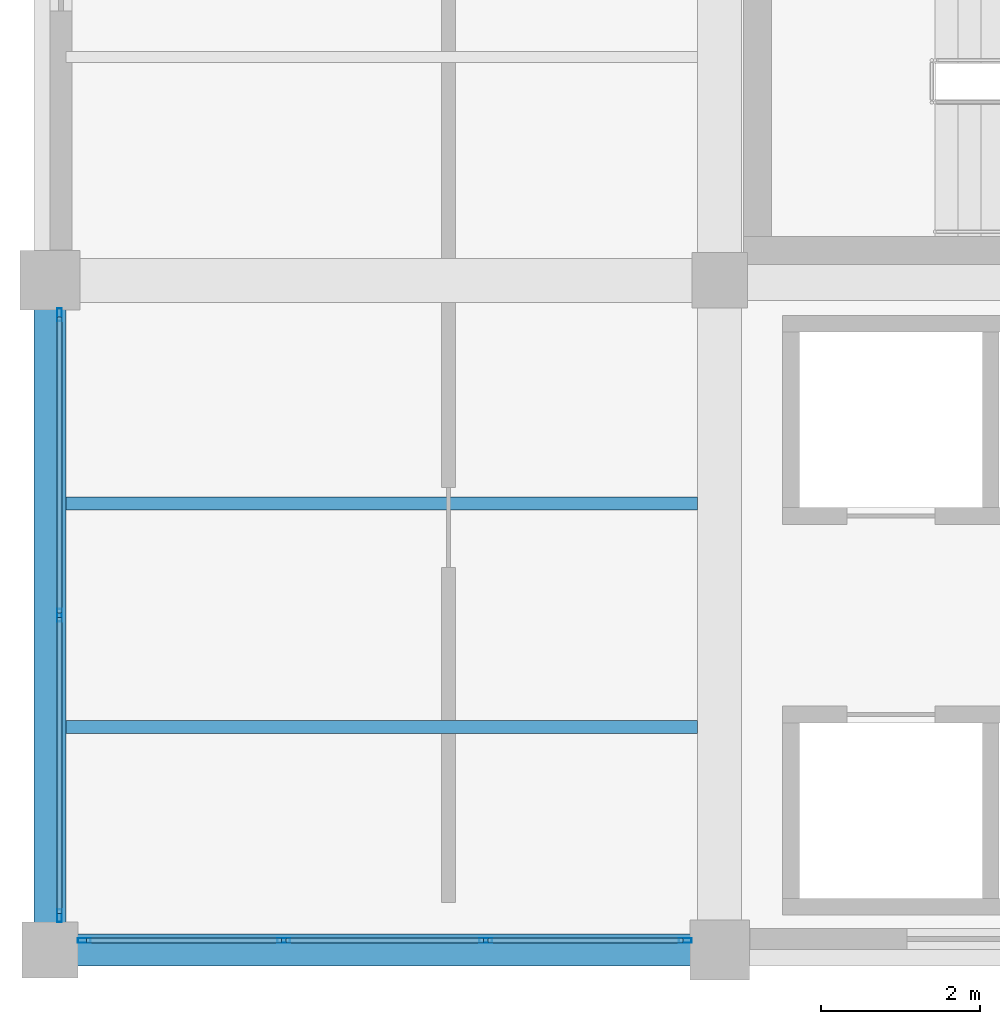
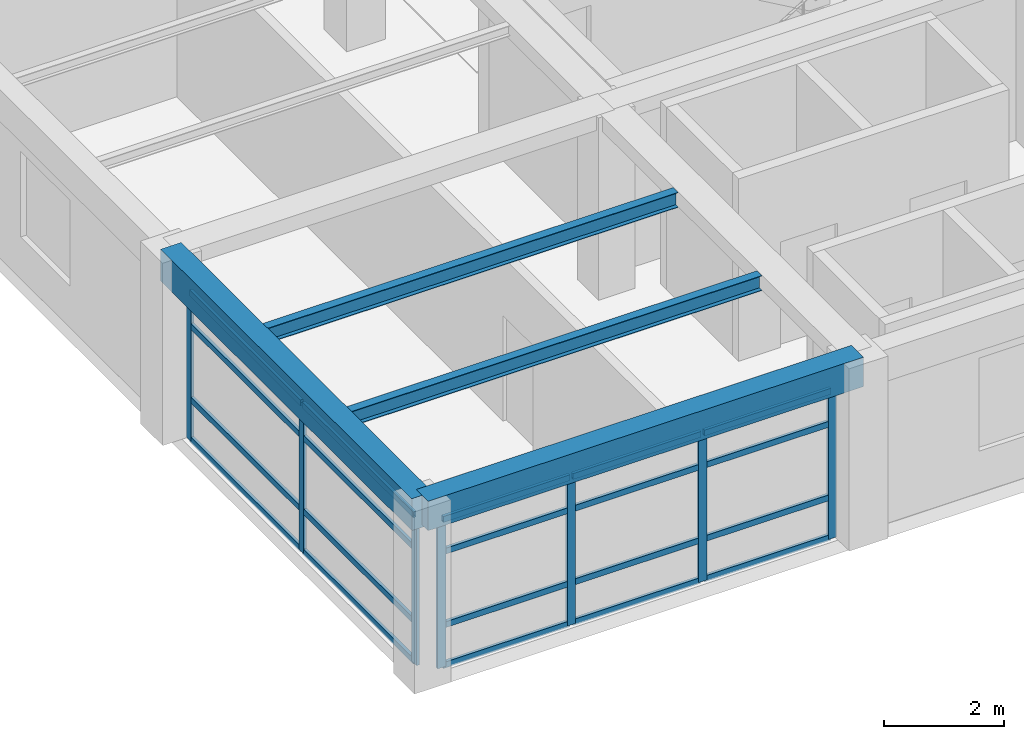
# One storey, part 2 of 26: 27 members, 4 beams, 2 elements without a shape of their own.
"""IFC4 building model written with IfcOpenShell, lengths in metres."""

from ifc_helpers import new_model, si_unit, direction, frame, origin, origin_2d, place, context, subcontext, project, spatial, rectangle, hollow_rectangle, i_section, extrude, material, material_profile, profile_set, type_object, element, aggregate, save


model = new_model("IFC4")

# Units and contexts
model_context = context("Model", 3, precision=1e-05, world=origin(), true_north=direction((0.0, 1.0)))
body_context = subcontext(model_context, "Body", "Model", "MODEL_VIEW")
ifc_project = project(units=[si_unit("LENGTHUNIT", "METRE"), si_unit("AREAUNIT", "SQUARE_METRE"), si_unit("VOLUMEUNIT", "CUBIC_METRE"), si_unit("PLANEANGLEUNIT", "RADIAN"), si_unit("MASSUNIT", "GRAM", prefix="KILO")], contexts=[model_context])

# Site, building, storey
site_placement = place(None, origin())
site = spatial("IfcSite", under=ifc_project, at=site_placement, CompositionType="ELEMENT")
building_placement = place(site_placement, origin())
building = spatial("IfcBuilding", under=site, at=building_placement, Name="Almacenes y Pasaje Nevantli", CompositionType="ELEMENT")
storey_placement = place(building_placement, frame((0.0, 0.0, 30.699951171875)))
storey = spatial("IfcBuildingStorey", under=building, at=storey_placement, Name="L07", CompositionType="ELEMENT", Elevation=30.699951171875)

# Beams
ifc_material_1 = material(Name="Concrete C35/45", Category="concrete")
ifc_material_profile_1 = material_profile(ifc_material_1, rectangle(XDim=0.39990234375, YDim=0.60009765625, at=origin_2d()), Name="RC-BM-400x600")
ifc_profile_set_1 = profile_set([ifc_material_profile_1], Name="Concrete C35/45")
beam_type_1 = type_object("IfcBeamType", Name="BM-RC-400x600", PredefinedType="SPANDREL", material=ifc_profile_set_1)
beam_1_placement = place(storey_placement, frame((109.199951171875, 67.199951171875, 3.420166015625), z_axis=(1.0, 0.0, 0.0), x_axis=(0.0, 1.0, 0.0)))
element("IfcBeam", 1, at=beam_1_placement, inside=storey, type_object=beam_type_1, Name="L07 East-West Reinforced Concrete Beam #3629", PredefinedType="SPANDREL", context=body_context, shape_type="SweptSolid", body=[
    extrude(rectangle(XDim=0.39990234375, YDim=0.60009765625, at=origin_2d()), origin(), (0.0, 0.0, 1.0), 8.400146484375),
])
ifc_material_2 = material(Name="Concrete C35/45", Category="concrete")
ifc_material_profile_2 = material_profile(ifc_material_2, rectangle(XDim=0.39990234375, YDim=0.64990234375, at=origin_2d()), Name="RC-BM-400x650")
ifc_profile_set_2 = profile_set([ifc_material_profile_2], Name="Concrete C35/45")
beam_type_2 = type_object("IfcBeamType", Name="BM-RC-400x650", PredefinedType="SPANDREL", material=ifc_profile_set_2)
beam_2_placement = place(storey_placement, frame((109.199951171875, 67.199951171875, 3.39501953125), z_axis=(0.0, 1.0, 0.0), x_axis=(-1.0, 0.0, 0.0)))
element("IfcBeam", 2, at=beam_2_placement, inside=storey, type_object=beam_type_2, Name="L07 North-South Reinforced Concrete Beam #3659", PredefinedType="SPANDREL", context=body_context, shape_type="SweptSolid", body=[
    extrude(rectangle(XDim=0.39990234375, YDim=0.64990234375, at=origin_2d()), origin(), (0.0, 0.0, 1.0), 8.400146484375),
])
ifc_material_3 = material(Name="Steel ASTM A992", Category="steel")
ifc_material_profile_3 = material_profile(ifc_material_3, i_section(OverallWidth=0.1650390625, OverallDepth=0.306884765625, WebThickness=0.006591796875, FlangeThickness=0.01025390625, at=origin_2d()), Name="IR 305x44.6")
ifc_profile_set_3 = profile_set([ifc_material_profile_3], Name="Steel ASTM A992")
beam_type_3 = type_object("IfcBeamType", Name="BM-STL-IR-305x44p6", PredefinedType="JOIST", material=ifc_profile_set_3)
for number, where, z_axis, x_axis, name in (
    (3, (109.39990234375, 70.0, 3.55859375), (1.0, 0.0, 0.0), (0.0, 1.0, 0.0), "L07 Secondary Steel Floor Joist #1387"),
    (4, (109.39990234375, 72.800048828125, 3.55859375), (1.0, 0.0, 0.0), (0.0, 1.0, 0.0), "L07 Secondary Steel Floor Joist #1388"),
):
    element("IfcBeam", number, at=place(storey_placement, frame(where, z_axis=z_axis, x_axis=x_axis)), inside=storey, type_object=beam_type_3, Name=name, PredefinedType="JOIST", context=body_context, shape_type="SweptSolid", body=[
        extrude(i_section(OverallWidth=0.1650390625, OverallDepth=0.306884765625, WebThickness=0.006591796875, FlangeThickness=0.01025390625, at=origin_2d()), origin(), (0.0, 0.0, 1.0), 7.925048828125),
    ])

# Curtain wall, members
ifc_material_4 = material(Name="Thermally Broken Aluminium and Low-E Glass", Category="aluminium")
curtain_wall_type = type_object("IfcCurtainWallType", Name="CW-UNIT-TOWER", PredefinedType="USERDEFINED", material=ifc_material_4)
curtain_wall_1_placement = place(storey_placement, origin())
curtain_wall_1 = element("IfcCurtainWall", 5, at=curtain_wall_1_placement, inside=storey, type_object=curtain_wall_type, Name="L07 Tower South Unitized Curtain Wall Bay 14", ObjectType="UNITIZED CURTAIN WALL", PredefinedType="USERDEFINED")
ifc_material_5 = material(Name="Thermally Broken Anodized Aluminium", Category="aluminium")
ifc_material_profile_4 = material_profile(ifc_material_5, hollow_rectangle(XDim=0.06005859375, YDim=0.159912109375, WallThickness=0.00390625, at=origin_2d()), Name="ALU-MUL-60x160")
ifc_profile_set_4 = profile_set([ifc_material_profile_4], Name="Thermally Broken Anodized Aluminium")
member_type_1 = type_object("IfcMemberType", Name="CW-MUL-180", PredefinedType="MULLION", material=ifc_profile_set_4)
member_1_placement = place(storey_placement, frame((109.6298828125, 67.320068359375, 0.0), z_axis=(0.0, 0.0, 1.0), x_axis=(0.0, 1.0, 0.0)))
member_1 = element("IfcMember", 6, at=member_1_placement, type_object=member_type_1, Name="CW-L07-111 mullion 1", PredefinedType="MULLION", context=body_context, shape_type="SweptSolid", body=[
    extrude(hollow_rectangle(XDim=0.06005859375, YDim=0.159912109375, WallThickness=0.00390625, at=origin_2d()), origin(), (0.0, 0.0, 1.0), 3.0400390625),
])
member_2_placement = place(storey_placement, frame((112.13330078125, 67.320068359375, 0.0), z_axis=(0.0, 0.0, 1.0), x_axis=(0.0, 1.0, 0.0)))
member_2 = element("IfcMember", 7, at=member_2_placement, type_object=member_type_1, Name="CW-L07-111 mullion 2", PredefinedType="MULLION", context=body_context, shape_type="SweptSolid", body=[
    extrude(hollow_rectangle(XDim=0.06005859375, YDim=0.159912109375, WallThickness=0.00390625, at=origin_2d()), origin(), (0.0, 0.0, 1.0), 3.0400390625),
])
member_3_placement = place(storey_placement, frame((114.666748046875, 67.320068359375, 0.0), z_axis=(0.0, 0.0, 1.0), x_axis=(0.0, 1.0, 0.0)))
member_3 = element("IfcMember", 8, at=member_3_placement, type_object=member_type_1, Name="CW-L07-111 mullion 3", PredefinedType="MULLION", context=body_context, shape_type="SweptSolid", body=[
    extrude(hollow_rectangle(XDim=0.06005859375, YDim=0.159912109375, WallThickness=0.00390625, at=origin_2d()), origin(), (0.0, 0.0, 1.0), 3.0400390625),
])
member_4_placement = place(storey_placement, frame((117.169921875, 67.320068359375, 0.0), z_axis=(0.0, 0.0, 1.0), x_axis=(0.0, 1.0, 0.0)))
member_4 = element("IfcMember", 9, at=member_4_placement, type_object=member_type_1, Name="CW-L07-111 mullion 4", PredefinedType="MULLION", context=body_context, shape_type="SweptSolid", body=[
    extrude(hollow_rectangle(XDim=0.06005859375, YDim=0.159912109375, WallThickness=0.00390625, at=origin_2d()), origin(), (0.0, 0.0, 1.0), 3.0400390625),
])

curtain_wall_2_placement = place(storey_placement, origin())
curtain_wall_2 = element("IfcCurtainWall", 10, at=curtain_wall_2_placement, inside=storey, type_object=curtain_wall_type, Name="L07 Tower West Curtain Wall Bay 9", ObjectType="UNITIZED CURTAIN WALL", PredefinedType="USERDEFINED")
member_5_placement = place(storey_placement, frame((109.320068359375, 67.6298828125, 0.0), z_axis=(0.0, 0.0, 1.0), x_axis=(-1.0, 0.0, 0.0)))
member_5 = element("IfcMember", 11, at=member_5_placement, type_object=member_type_1, Name="CW-L07-117 mullion 1", PredefinedType="MULLION", context=body_context, shape_type="SweptSolid", body=[
    extrude(hollow_rectangle(XDim=0.06005859375, YDim=0.159912109375, WallThickness=0.00390625, at=origin_2d()), origin(), (0.0, 0.0, 1.0), 3.0400390625),
])
member_6_placement = place(storey_placement, frame((109.320068359375, 71.39990234375, 0.0), z_axis=(0.0, 0.0, 1.0), x_axis=(-1.0, 0.0, 0.0)))
member_6 = element("IfcMember", 12, at=member_6_placement, type_object=member_type_1, Name="CW-L07-117 mullion 2", PredefinedType="MULLION", context=body_context, shape_type="SweptSolid", body=[
    extrude(hollow_rectangle(XDim=0.06005859375, YDim=0.159912109375, WallThickness=0.00390625, at=origin_2d()), origin(), (0.0, 0.0, 1.0), 3.0400390625),
])
member_7_placement = place(storey_placement, frame((109.320068359375, 75.169921875, 0.0), z_axis=(0.0, 0.0, 1.0), x_axis=(-1.0, 0.0, 0.0)))
member_7 = element("IfcMember", 13, at=member_7_placement, type_object=member_type_1, Name="CW-L07-117 mullion 3", PredefinedType="MULLION", context=body_context, shape_type="SweptSolid", body=[
    extrude(hollow_rectangle(XDim=0.06005859375, YDim=0.159912109375, WallThickness=0.00390625, at=origin_2d()), origin(), (0.0, 0.0, 1.0), 3.0400390625),
])

# Member
ifc_material_6 = material(Name="Thermally Broken Anodized Aluminium", Category="aluminium")
ifc_material_profile_5 = material_profile(ifc_material_6, hollow_rectangle(XDim=0.06005859375, YDim=0.1201171875, WallThickness=0.00341796875, at=origin_2d()), Name="ALU-TRN-60x120")
ifc_profile_set_5 = profile_set([ifc_material_profile_5], Name="Thermally Broken Anodized Aluminium")
member_type_2 = type_object("IfcMemberType", Name="CW-TRN-130", PredefinedType="USERDEFINED", material=ifc_profile_set_5)
member_8_placement = place(storey_placement, frame((109.659912109375, 67.320068359375, 0.030029296875), z_axis=(1.0, 0.0, 0.0), x_axis=(0.0, 1.0, 0.0)))
member_8 = element("IfcMember", 14, at=member_8_placement, type_object=member_type_2, Name="CW-L07-111 transom 1.1", ObjectType="TRANSOM", PredefinedType="USERDEFINED", context=body_context, shape_type="SweptSolid", body=[
    extrude(hollow_rectangle(XDim=0.06005859375, YDim=0.1201171875, WallThickness=0.00341796875, at=origin_2d()), origin(), (0.0, 0.0, 1.0), 2.443359375),
])

member_9_placement = place(storey_placement, frame((109.659912109375, 67.320068359375, 0.85009765625), z_axis=(1.0, 0.0, 0.0), x_axis=(0.0, 1.0, 0.0)))
member_9 = element("IfcMember", 15, at=member_9_placement, type_object=member_type_2, Name="CW-L07-111 transom 1.2", ObjectType="TRANSOM", PredefinedType="USERDEFINED", context=body_context, shape_type="SweptSolid", body=[
    extrude(hollow_rectangle(XDim=0.06005859375, YDim=0.1201171875, WallThickness=0.00341796875, at=origin_2d()), origin(), (0.0, 0.0, 1.0), 2.443359375),
])

member_10_placement = place(storey_placement, frame((109.659912109375, 67.320068359375, 2.35009765625), z_axis=(1.0, 0.0, 0.0), x_axis=(0.0, 1.0, 0.0)))
member_10 = element("IfcMember", 16, at=member_10_placement, type_object=member_type_2, Name="CW-L07-111 transom 1.3", ObjectType="TRANSOM", PredefinedType="USERDEFINED", context=body_context, shape_type="SweptSolid", body=[
    extrude(hollow_rectangle(XDim=0.06005859375, YDim=0.1201171875, WallThickness=0.00341796875, at=origin_2d()), origin(), (0.0, 0.0, 1.0), 2.443359375),
])

member_11_placement = place(storey_placement, frame((109.659912109375, 67.320068359375, 3.010009765625), z_axis=(1.0, 0.0, 0.0), x_axis=(0.0, 1.0, 0.0)))
member_11 = element("IfcMember", 17, at=member_11_placement, type_object=member_type_2, Name="CW-L07-111 transom 1.4", ObjectType="TRANSOM", PredefinedType="USERDEFINED", context=body_context, shape_type="SweptSolid", body=[
    extrude(hollow_rectangle(XDim=0.06005859375, YDim=0.1201171875, WallThickness=0.00341796875, at=origin_2d()), origin(), (0.0, 0.0, 1.0), 2.443359375),
])

member_12_placement = place(storey_placement, frame((112.163330078125, 67.320068359375, 0.030029296875), z_axis=(1.0, 0.0, 0.0), x_axis=(0.0, 1.0, 0.0)))
member_12 = element("IfcMember", 18, at=member_12_placement, type_object=member_type_2, Name="CW-L07-111 transom 2.1", ObjectType="TRANSOM", PredefinedType="USERDEFINED", context=body_context, shape_type="SweptSolid", body=[
    extrude(hollow_rectangle(XDim=0.06005859375, YDim=0.1201171875, WallThickness=0.00341796875, at=origin_2d()), origin(), (0.0, 0.0, 1.0), 2.473388671875),
])

member_13_placement = place(storey_placement, frame((112.163330078125, 67.320068359375, 0.85009765625), z_axis=(1.0, 0.0, 0.0), x_axis=(0.0, 1.0, 0.0)))
member_13 = element("IfcMember", 19, at=member_13_placement, type_object=member_type_2, Name="CW-L07-111 transom 2.2", ObjectType="TRANSOM", PredefinedType="USERDEFINED", context=body_context, shape_type="SweptSolid", body=[
    extrude(hollow_rectangle(XDim=0.06005859375, YDim=0.1201171875, WallThickness=0.00341796875, at=origin_2d()), origin(), (0.0, 0.0, 1.0), 2.473388671875),
])

member_14_placement = place(storey_placement, frame((112.163330078125, 67.320068359375, 2.35009765625), z_axis=(1.0, 0.0, 0.0), x_axis=(0.0, 1.0, 0.0)))
member_14 = element("IfcMember", 20, at=member_14_placement, type_object=member_type_2, Name="CW-L07-111 transom 2.3", ObjectType="TRANSOM", PredefinedType="USERDEFINED", context=body_context, shape_type="SweptSolid", body=[
    extrude(hollow_rectangle(XDim=0.06005859375, YDim=0.1201171875, WallThickness=0.00341796875, at=origin_2d()), origin(), (0.0, 0.0, 1.0), 2.473388671875),
])

member_15_placement = place(storey_placement, frame((112.163330078125, 67.320068359375, 3.010009765625), z_axis=(1.0, 0.0, 0.0), x_axis=(0.0, 1.0, 0.0)))
member_15 = element("IfcMember", 21, at=member_15_placement, type_object=member_type_2, Name="CW-L07-111 transom 2.4", ObjectType="TRANSOM", PredefinedType="USERDEFINED", context=body_context, shape_type="SweptSolid", body=[
    extrude(hollow_rectangle(XDim=0.06005859375, YDim=0.1201171875, WallThickness=0.00341796875, at=origin_2d()), origin(), (0.0, 0.0, 1.0), 2.473388671875),
])

member_16_placement = place(storey_placement, frame((114.69677734375, 67.320068359375, 0.030029296875), z_axis=(1.0, 0.0, 0.0), x_axis=(0.0, 1.0, 0.0)))
member_16 = element("IfcMember", 22, at=member_16_placement, type_object=member_type_2, Name="CW-L07-111 transom 3.1", ObjectType="TRANSOM", PredefinedType="USERDEFINED", context=body_context, shape_type="SweptSolid", body=[
    extrude(hollow_rectangle(XDim=0.06005859375, YDim=0.1201171875, WallThickness=0.00341796875, at=origin_2d()), origin(), (0.0, 0.0, 1.0), 2.443115234375),
])

member_17_placement = place(storey_placement, frame((114.69677734375, 67.320068359375, 0.85009765625), z_axis=(1.0, 0.0, 0.0), x_axis=(0.0, 1.0, 0.0)))
member_17 = element("IfcMember", 23, at=member_17_placement, type_object=member_type_2, Name="CW-L07-111 transom 3.2", ObjectType="TRANSOM", PredefinedType="USERDEFINED", context=body_context, shape_type="SweptSolid", body=[
    extrude(hollow_rectangle(XDim=0.06005859375, YDim=0.1201171875, WallThickness=0.00341796875, at=origin_2d()), origin(), (0.0, 0.0, 1.0), 2.443115234375),
])

member_18_placement = place(storey_placement, frame((114.69677734375, 67.320068359375, 2.35009765625), z_axis=(1.0, 0.0, 0.0), x_axis=(0.0, 1.0, 0.0)))
member_18 = element("IfcMember", 24, at=member_18_placement, type_object=member_type_2, Name="CW-L07-111 transom 3.3", ObjectType="TRANSOM", PredefinedType="USERDEFINED", context=body_context, shape_type="SweptSolid", body=[
    extrude(hollow_rectangle(XDim=0.06005859375, YDim=0.1201171875, WallThickness=0.00341796875, at=origin_2d()), origin(), (0.0, 0.0, 1.0), 2.443115234375),
])

member_19_placement = place(storey_placement, frame((114.69677734375, 67.320068359375, 3.010009765625), z_axis=(1.0, 0.0, 0.0), x_axis=(0.0, 1.0, 0.0)))
member_19 = element("IfcMember", 25, at=member_19_placement, type_object=member_type_2, Name="CW-L07-111 transom 3.4", ObjectType="TRANSOM", PredefinedType="USERDEFINED", context=body_context, shape_type="SweptSolid", body=[
    extrude(hollow_rectangle(XDim=0.06005859375, YDim=0.1201171875, WallThickness=0.00341796875, at=origin_2d()), origin(), (0.0, 0.0, 1.0), 2.443115234375),
])

aggregate(curtain_wall_1, [member_1, member_2, member_3, member_4, member_8, member_9, member_10, member_11, member_12, member_13, member_14, member_15, member_16, member_17, member_18, member_19])

member_20_placement = place(storey_placement, frame((109.320068359375, 67.659912109375, 0.030029296875), z_axis=(0.0, 1.0, 0.0), x_axis=(-1.0, 0.0, 0.0)))
member_20 = element("IfcMember", 26, at=member_20_placement, type_object=member_type_2, Name="CW-L07-117 transom 1.1", ObjectType="TRANSOM", PredefinedType="USERDEFINED", context=body_context, shape_type="SweptSolid", body=[
    extrude(hollow_rectangle(XDim=0.06005859375, YDim=0.1201171875, WallThickness=0.00341796875, at=origin_2d()), origin(), (0.0, 0.0, 1.0), 3.710205078125),
])

member_21_placement = place(storey_placement, frame((109.320068359375, 67.659912109375, 0.85009765625), z_axis=(0.0, 1.0, 0.0), x_axis=(-1.0, 0.0, 0.0)))
member_21 = element("IfcMember", 27, at=member_21_placement, type_object=member_type_2, Name="CW-L07-117 transom 1.2", ObjectType="TRANSOM", PredefinedType="USERDEFINED", context=body_context, shape_type="SweptSolid", body=[
    extrude(hollow_rectangle(XDim=0.06005859375, YDim=0.1201171875, WallThickness=0.00341796875, at=origin_2d()), origin(), (0.0, 0.0, 1.0), 3.710205078125),
])

member_22_placement = place(storey_placement, frame((109.320068359375, 67.659912109375, 2.35009765625), z_axis=(0.0, 1.0, 0.0), x_axis=(-1.0, 0.0, 0.0)))
member_22 = element("IfcMember", 28, at=member_22_placement, type_object=member_type_2, Name="CW-L07-117 transom 1.3", ObjectType="TRANSOM", PredefinedType="USERDEFINED", context=body_context, shape_type="SweptSolid", body=[
    extrude(hollow_rectangle(XDim=0.06005859375, YDim=0.1201171875, WallThickness=0.00341796875, at=origin_2d()), origin(), (0.0, 0.0, 1.0), 3.710205078125),
])

member_23_placement = place(storey_placement, frame((109.320068359375, 67.659912109375, 3.010009765625), z_axis=(0.0, 1.0, 0.0), x_axis=(-1.0, 0.0, 0.0)))
member_23 = element("IfcMember", 29, at=member_23_placement, type_object=member_type_2, Name="CW-L07-117 transom 1.4", ObjectType="TRANSOM", PredefinedType="USERDEFINED", context=body_context, shape_type="SweptSolid", body=[
    extrude(hollow_rectangle(XDim=0.06005859375, YDim=0.1201171875, WallThickness=0.00341796875, at=origin_2d()), origin(), (0.0, 0.0, 1.0), 3.710205078125),
])

member_24_placement = place(storey_placement, frame((109.320068359375, 71.429931640625, 0.030029296875), z_axis=(0.0, 1.0, 0.0), x_axis=(-1.0, 0.0, 0.0)))
member_24 = element("IfcMember", 30, at=member_24_placement, type_object=member_type_2, Name="CW-L07-117 transom 2.1", ObjectType="TRANSOM", PredefinedType="USERDEFINED", context=body_context, shape_type="SweptSolid", body=[
    extrude(hollow_rectangle(XDim=0.06005859375, YDim=0.1201171875, WallThickness=0.00341796875, at=origin_2d()), origin(), (0.0, 0.0, 1.0), 3.7099609375),
])

member_25_placement = place(storey_placement, frame((109.320068359375, 71.429931640625, 0.85009765625), z_axis=(0.0, 1.0, 0.0), x_axis=(-1.0, 0.0, 0.0)))
member_25 = element("IfcMember", 31, at=member_25_placement, type_object=member_type_2, Name="CW-L07-117 transom 2.2", ObjectType="TRANSOM", PredefinedType="USERDEFINED", context=body_context, shape_type="SweptSolid", body=[
    extrude(hollow_rectangle(XDim=0.06005859375, YDim=0.1201171875, WallThickness=0.00341796875, at=origin_2d()), origin(), (0.0, 0.0, 1.0), 3.7099609375),
])

member_26_placement = place(storey_placement, frame((109.320068359375, 71.429931640625, 2.35009765625), z_axis=(0.0, 1.0, 0.0), x_axis=(-1.0, 0.0, 0.0)))
member_26 = element("IfcMember", 32, at=member_26_placement, type_object=member_type_2, Name="CW-L07-117 transom 2.3", ObjectType="TRANSOM", PredefinedType="USERDEFINED", context=body_context, shape_type="SweptSolid", body=[
    extrude(hollow_rectangle(XDim=0.06005859375, YDim=0.1201171875, WallThickness=0.00341796875, at=origin_2d()), origin(), (0.0, 0.0, 1.0), 3.7099609375),
])

member_27_placement = place(storey_placement, frame((109.320068359375, 71.429931640625, 3.010009765625), z_axis=(0.0, 1.0, 0.0), x_axis=(-1.0, 0.0, 0.0)))
member_27 = element("IfcMember", 33, at=member_27_placement, type_object=member_type_2, Name="CW-L07-117 transom 2.4", ObjectType="TRANSOM", PredefinedType="USERDEFINED", context=body_context, shape_type="SweptSolid", body=[
    extrude(hollow_rectangle(XDim=0.06005859375, YDim=0.1201171875, WallThickness=0.00341796875, at=origin_2d()), origin(), (0.0, 0.0, 1.0), 3.7099609375),
])

aggregate(curtain_wall_2, [member_5, member_6, member_7, member_20, member_21, member_22, member_23, member_24, member_25, member_26, member_27])

save(model, "model.ifc")
